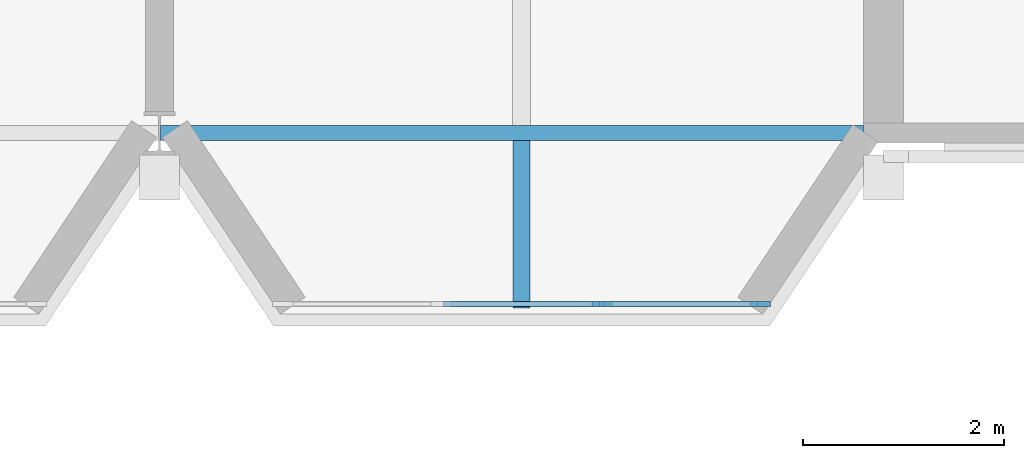
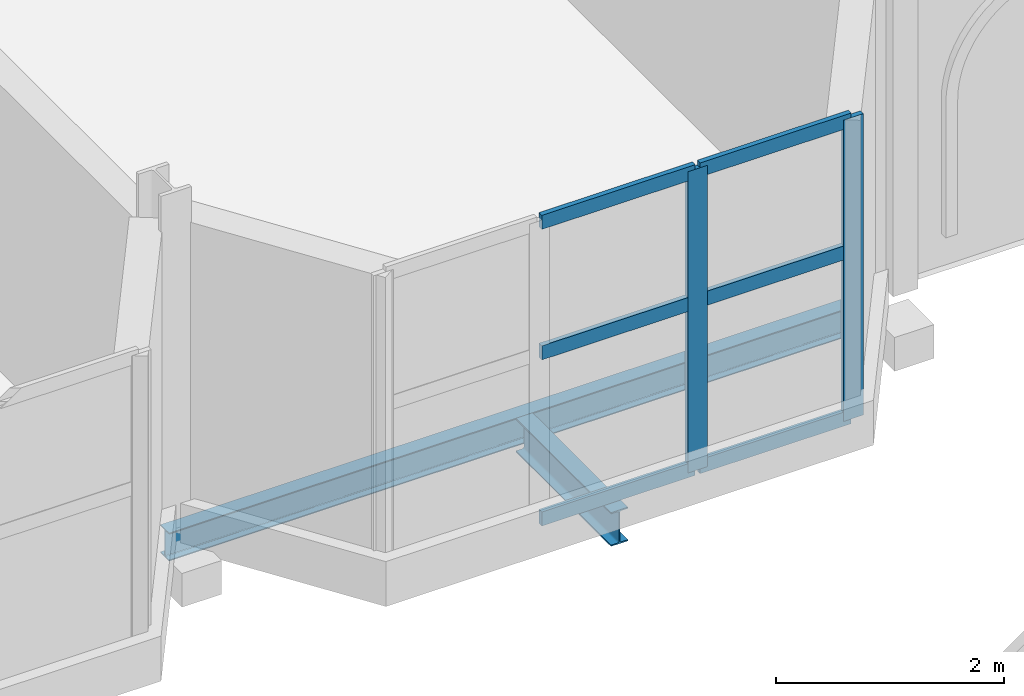
# One storey, part 47 of 142: 8 members, 2 beams, 1 element without a shape of its own.
"""IFC4 building model written with IfcOpenShell, lengths in metres."""

from ifc_helpers import new_model, si_unit, direction, frame, origin, origin_2d, place, context, subcontext, project, spatial, rectangle, i_section, extrude, material, material_profile, profile_set, type_object, element, aggregate, save


model = new_model("IFC4")

# Units and contexts
model_context = context("Model", 3, precision=1e-05, world=origin(), true_north=direction((0.0, 1.0)))
body_context = subcontext(model_context, "Body", "Model", "MODEL_VIEW")
ifc_project = project(units=[si_unit("LENGTHUNIT", "METRE"), si_unit("AREAUNIT", "SQUARE_METRE"), si_unit("VOLUMEUNIT", "CUBIC_METRE"), si_unit("PLANEANGLEUNIT", "RADIAN"), si_unit("MASSUNIT", "GRAM", prefix="KILO")], contexts=[model_context])

# Site, building, storey
site_placement = place(None, origin())
site = spatial("IfcSite", under=ifc_project, at=site_placement, CompositionType="ELEMENT")
building_placement = place(site_placement, origin())
building = spatial("IfcBuilding", under=site, at=building_placement, Name="Kupolbacken Congress Centre", CompositionType="ELEMENT")
storey_placement = place(building_placement, frame((0.0, 0.0, 14.39990234375)))
storey = spatial("IfcBuildingStorey", under=building, at=storey_placement, Name="L04", CompositionType="ELEMENT", Elevation=14.39990234375)

# Beams
ifc_material_1 = material(Name="Steel S355", Category="steel")
ifc_material_profile_1 = material_profile(ifc_material_1, i_section(OverallWidth=0.14990234375, OverallDepth=0.300048828125, WebThickness=0.007080078125, FlangeThickness=0.0107421875, FilletRadius=0.014892578125, at=origin_2d()), Name="IPE 300")
ifc_profile_set_1 = profile_set([ifc_material_profile_1], Name="Steel S355")
beam_type_1 = type_object("IfcBeamType", Name="B04 beam IPE 300", PredefinedType="BEAM", material=ifc_profile_set_1)
beam_1_placement = place(storey_placement, frame((86.410400390625, 122.39990234375, -0.289794921875), z_axis=(1.0, 0.0, 0.0), x_axis=(0.0, 1.0, 0.0)))
element("IfcBeam", 1, at=beam_1_placement, inside=storey, type_object=beam_type_1, Name="S/floor/T/L04/R002", PredefinedType="BEAM", context=body_context, shape_type="SweptSolid", body=[
    extrude(i_section(OverallWidth=0.14990234375, OverallDepth=0.300048828125, WebThickness=0.007080078125, FlangeThickness=0.0107421875, FilletRadius=0.014892578125, at=origin_2d()), origin(), (0.0, 0.0, 1.0), 6.989501953125),
])
ifc_material_2 = material(Name="Steel S355", Category="steel")
ifc_material_profile_2 = material_profile(ifc_material_2, i_section(OverallWidth=0.169921875, OverallDepth=0.360107421875, WebThickness=0.008056640625, FlangeThickness=0.0126953125, FilletRadius=0.01806640625, at=origin_2d()), Name="IPE 360")
ifc_profile_set_2 = profile_set([ifc_material_profile_2], Name="Steel S355")
beam_type_2 = type_object("IfcBeamType", Name="B06 beam IPE 360", PredefinedType="BEAM", material=ifc_profile_set_2)
beam_2_placement = place(storey_placement, frame((90.0, 122.324951171875, -0.31982421875), z_axis=(0.0, -1.0, 0.0), x_axis=(1.0, 0.0, 0.0)))
element("IfcBeam", 2, at=beam_2_placement, inside=storey, type_object=beam_type_2, Name="S/floor/T/L04/C082", PredefinedType="BEAM", context=body_context, shape_type="SweptSolid", body=[
    extrude(i_section(OverallWidth=0.169921875, OverallDepth=0.360107421875, WebThickness=0.008056640625, FlangeThickness=0.0126953125, FilletRadius=0.01806640625, at=origin_2d()), origin(), (0.0, 0.0, 1.0), 1.6650390625),
])

# Curtain wall, members
ifc_material_3 = material(Name="Aluminium mullion-transom frame with glass", Category="aluminium")
curtain_wall_type = type_object("IfcCurtainWallType", Name="CW1 curtain wall 7200x3600", PredefinedType="NOTDEFINED", material=ifc_material_3)
curtain_wall_placement = place(storey_placement, origin())
curtain_wall = element("IfcCurtainWall", 3, at=curtain_wall_placement, inside=storey, type_object=curtain_wall_type, Name="E/T/cumba/L04/S/008/cw", PredefinedType="NOTDEFINED")
ifc_material_4 = material(Name="Aluminium alloy", Category="aluminium")
ifc_material_profile_3 = material_profile(ifc_material_4, rectangle(XDim=0.050048828125, YDim=0.199951171875, at=origin_2d()), Name="50 x 200")
ifc_profile_set_3 = profile_set([ifc_material_profile_3], Name="Aluminium alloy")
member_type_1 = type_object("IfcMemberType", Name="MU2 mullion 50x200", PredefinedType="MULLION", material=ifc_profile_set_3)
member_1_placement = place(storey_placement, frame((90.800048828125, 120.699951171875, 0.0), z_axis=(0.0, 0.0, 1.0), x_axis=(0.0, 1.0, 0.0)))
member_1 = element("IfcMember", 4, at=member_1_placement, type_object=member_type_1, Name="CW1 mullion 3", PredefinedType="MULLION", context=body_context, shape_type="SweptSolid", body=[
    extrude(rectangle(XDim=0.050048828125, YDim=0.199951171875, at=origin_2d()), origin(), (0.0, 0.0, 1.0), 3.22021484375),
])
member_2_placement = place(storey_placement, frame((92.375, 120.699951171875, 0.0), z_axis=(0.0, 0.0, 1.0), x_axis=(0.0, 1.0, 0.0)))
member_2 = element("IfcMember", 5, at=member_2_placement, type_object=member_type_1, Name="CW1 mullion 4", PredefinedType="MULLION", context=body_context, shape_type="SweptSolid", body=[
    extrude(rectangle(XDim=0.050048828125, YDim=0.199951171875, at=origin_2d()), origin(), (0.0, 0.0, 1.0), 3.22021484375),
])
ifc_material_5 = material(Name="Aluminium alloy", Category="aluminium")
ifc_material_profile_4 = material_profile(ifc_material_5, rectangle(XDim=0.050048828125, YDim=0.14990234375, at=origin_2d()), Name="50 x 150")
ifc_profile_set_4 = profile_set([ifc_material_profile_4], Name="Aluminium alloy")
member_type_2 = type_object("IfcMemberType", Name="TR2 transom 50x150", PredefinedType="MULLION", material=ifc_profile_set_4)
member_3_placement = place(storey_placement, frame((89.22509765625, 120.699951171875, 0.025146484375), z_axis=(1.0, 0.0, 0.0), x_axis=(0.0, 1.0, 0.0)))
member_3 = element("IfcMember", 6, at=member_3_placement, type_object=member_type_2, Name="CW1 transom 2.1", PredefinedType="MULLION", context=body_context, shape_type="SweptSolid", body=[
    extrude(rectangle(XDim=0.050048828125, YDim=0.14990234375, at=origin_2d()), origin(), (0.0, 0.0, 1.0), 1.5498046875),
])
member_4_placement = place(storey_placement, frame((89.22509765625, 120.699951171875, 1.800048828125), z_axis=(1.0, 0.0, 0.0), x_axis=(0.0, 1.0, 0.0)))
member_4 = element("IfcMember", 7, at=member_4_placement, type_object=member_type_2, Name="CW1 transom 2.2", PredefinedType="MULLION", context=body_context, shape_type="SweptSolid", body=[
    extrude(rectangle(XDim=0.050048828125, YDim=0.14990234375, at=origin_2d()), origin(), (0.0, 0.0, 1.0), 1.5498046875),
])
member_5_placement = place(storey_placement, frame((89.22509765625, 120.699951171875, 3.195068359375), z_axis=(1.0, 0.0, 0.0), x_axis=(0.0, 1.0, 0.0)))
member_5 = element("IfcMember", 8, at=member_5_placement, type_object=member_type_2, Name="CW1 transom 2.3", PredefinedType="MULLION", context=body_context, shape_type="SweptSolid", body=[
    extrude(rectangle(XDim=0.050048828125, YDim=0.14990234375, at=origin_2d()), origin(), (0.0, 0.0, 1.0), 1.5498046875),
])
member_6_placement = place(storey_placement, frame((90.824951171875, 120.699951171875, 0.025146484375), z_axis=(1.0, 0.0, 0.0), x_axis=(0.0, 1.0, 0.0)))
member_6 = element("IfcMember", 9, at=member_6_placement, type_object=member_type_2, Name="CW1 transom 3.1", PredefinedType="MULLION", context=body_context, shape_type="SweptSolid", body=[
    extrude(rectangle(XDim=0.050048828125, YDim=0.14990234375, at=origin_2d()), origin(), (0.0, 0.0, 1.0), 1.525146484375),
])
member_7_placement = place(storey_placement, frame((90.824951171875, 120.699951171875, 1.800048828125), z_axis=(1.0, 0.0, 0.0), x_axis=(0.0, 1.0, 0.0)))
member_7 = element("IfcMember", 10, at=member_7_placement, type_object=member_type_2, Name="CW1 transom 3.2", PredefinedType="MULLION", context=body_context, shape_type="SweptSolid", body=[
    extrude(rectangle(XDim=0.050048828125, YDim=0.14990234375, at=origin_2d()), origin(), (0.0, 0.0, 1.0), 1.525146484375),
])
member_8_placement = place(storey_placement, frame((90.824951171875, 120.699951171875, 3.195068359375), z_axis=(1.0, 0.0, 0.0), x_axis=(0.0, 1.0, 0.0)))
member_8 = element("IfcMember", 11, at=member_8_placement, type_object=member_type_2, Name="CW1 transom 3.3", PredefinedType="MULLION", context=body_context, shape_type="SweptSolid", body=[
    extrude(rectangle(XDim=0.050048828125, YDim=0.14990234375, at=origin_2d()), origin(), (0.0, 0.0, 1.0), 1.525146484375),
])
aggregate(curtain_wall, [member_1, member_2, member_3, member_4, member_5, member_6, member_7, member_8])

save(model, "model.ifc")
